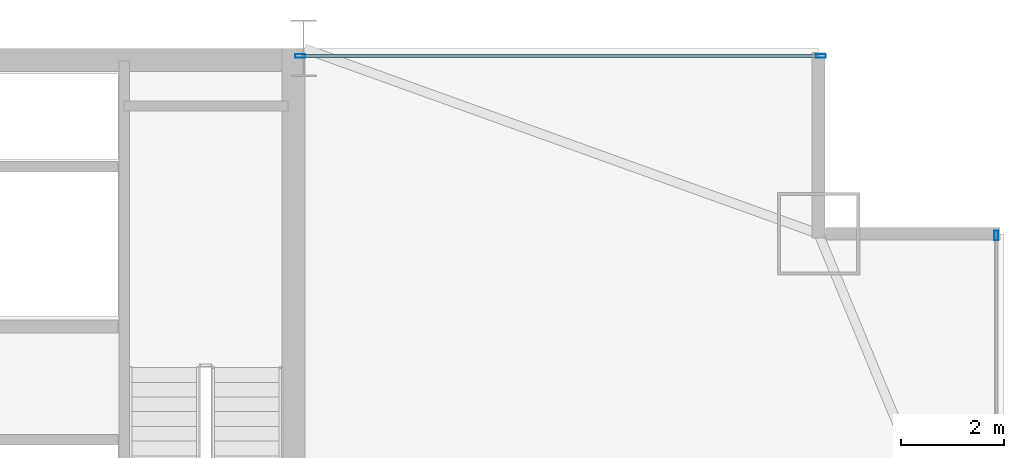
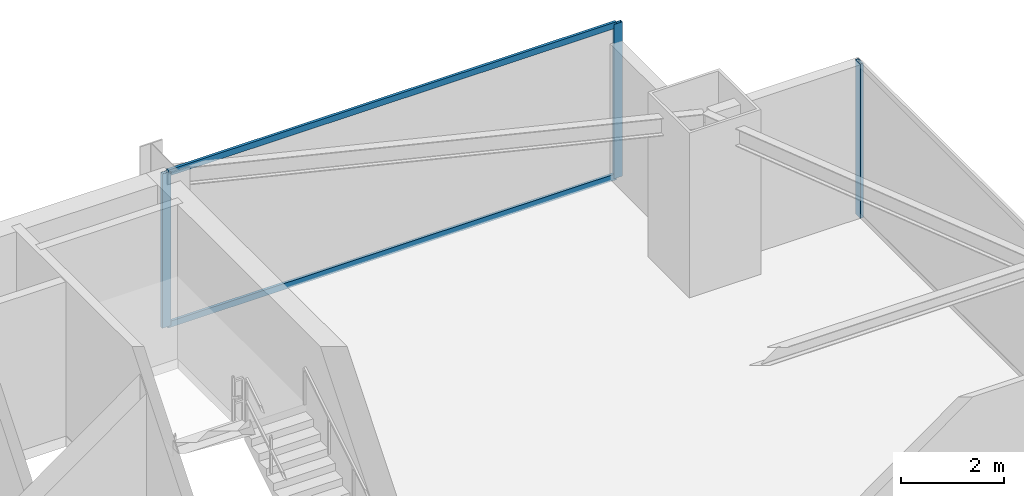
# One storey, part 24 of 32: 5 members, 2 elements without a shape of their own.
"""IFC4 building model written with IfcOpenShell, lengths in metres."""

from ifc_helpers import new_model, si_unit, direction, frame, origin, origin_2d, place, context, subcontext, project, spatial, hollow_rectangle, extrude, source, transform, mapped, material, layer, layer_set, material_profile, profile_set, type_object, type_shapes, element, aggregate, save


model = new_model("IFC4")

# Units and contexts
model_context = context("Model", 3, precision=1e-05, world=origin(), true_north=direction((0.0, 1.0)))
body_context = subcontext(model_context, "Body", "Model", "MODEL_VIEW")
ifc_project = project(units=[si_unit("LENGTHUNIT", "METRE"), si_unit("AREAUNIT", "SQUARE_METRE"), si_unit("VOLUMEUNIT", "CUBIC_METRE"), si_unit("PLANEANGLEUNIT", "RADIAN"), si_unit("MASSUNIT", "GRAM", prefix="KILO")], contexts=[model_context])

# Site, building, storey
site_placement = place(None, origin())
site = spatial("IfcSite", under=ifc_project, at=site_placement, CompositionType="ELEMENT")
building_placement = place(site_placement, origin())
building = spatial("IfcBuilding", under=site, at=building_placement, Name="Varnel Quay Broadcast Tower", CompositionType="ELEMENT")
storey_placement = place(building_placement, frame((0.0, 0.0, 54.89990234375)))
storey = spatial("IfcBuildingStorey", under=building, at=storey_placement, Name="L12", CompositionType="ELEMENT", Elevation=54.89990234375)

# Curtain wall, members
ifc_material = material(Name="Anodised Bronze Aluminium 6063-T6", Category="aluminium")
ifc_layer = layer(ifc_material, 0.18994140625, Name="Anodised Bronze Aluminium 6063-T6")
ifc_layer_set = layer_set([ifc_layer], Name="Anodised Bronze Aluminium 6063-T6")
curtain_wall_type = type_object("IfcCurtainWallType", Name="CW_LowerTower", PredefinedType="NOTDEFINED", material=ifc_layer_set)
curtain_wall_1_placement = place(storey_placement, origin())
curtain_wall_1 = element("IfcCurtainWall", 1, at=curtain_wall_1_placement, inside=storey, type_object=curtain_wall_type, Name="L12 NE Wing Curtain Wall", PredefinedType="NOTDEFINED")
ifc_material_profile_1 = material_profile(ifc_material, hollow_rectangle(XDim=0.06005859375, YDim=0.14501953125, WallThickness=0.00341796875, at=origin_2d()), Name="ALU60X145X3.5")
ifc_profile_set_1 = profile_set([ifc_material_profile_1], Name="Anodised Bronze Aluminium 6063-T6")
member_type_1 = type_object("IfcMemberType", Name="Tran_CWS-02", PredefinedType="USERDEFINED", material=ifc_profile_set_1)
shared_shape_1 = source(origin(), body_context, "Body", "SweptSolid", [
    extrude(hollow_rectangle(XDim=0.06005859375, YDim=0.14501953125, WallThickness=0.00341796875, at=origin_2d()), origin(), (0.0, 0.0, 1.0), 10.039794921875),
])
type_shapes(member_type_1, [shared_shape_1])
member_1_placement = place(storey_placement, frame((52.3701171875, 46.64990234375, 0.030029296875), z_axis=(1.0, 0.0, 0.0), x_axis=(0.0, 1.0, 0.0)))
member_1 = element("IfcMember", 2, at=member_1_placement, type_object=member_type_1, Name="CWS-02 transom 1.1", ObjectType="TRANSOM", PredefinedType="USERDEFINED", context=body_context, shape_type="MappedRepresentation", body=[
    mapped(shared_shape_1, transform((0.0, 0.0, 0.0), x_axis=(1.0, 0.0, 0.0), y_axis=(0.0, 1.0, 0.0), z_axis=(0.0, 0.0, 1.0), scale=1.0)),
])
member_2_placement = place(storey_placement, frame((52.3701171875, 46.64990234375, 3.6201171875), z_axis=(1.0, 0.0, 0.0), x_axis=(0.0, 1.0, 0.0)))
member_2 = element("IfcMember", 3, at=member_2_placement, type_object=member_type_1, Name="CWS-02 transom 1.2", ObjectType="TRANSOM", PredefinedType="USERDEFINED", context=body_context, shape_type="MappedRepresentation", body=[
    mapped(shared_shape_1, transform((0.0, 0.0, 0.0), x_axis=(1.0, 0.0, 0.0), y_axis=(0.0, 1.0, 0.0), z_axis=(0.0, 0.0, 1.0), scale=1.0)),
])

# Curtain wall, member
curtain_wall_2_placement = place(storey_placement, origin())
curtain_wall_2 = element("IfcCurtainWall", 4, at=curtain_wall_2_placement, inside=storey, type_object=curtain_wall_type, Name="L12 East Unitised Curtain Wall", PredefinedType="NOTDEFINED")
ifc_material_profile_2 = material_profile(ifc_material, hollow_rectangle(XDim=0.070068359375, YDim=0.18994140625, WallThickness=0.00390625, at=origin_2d()), Name="ALU70X190X4")
ifc_profile_set_2 = profile_set([ifc_material_profile_2], Name="Anodised Bronze Aluminium 6063-T6")
member_type_2 = type_object("IfcMemberType", Name="Mull_CWS-02", PredefinedType="MULLION", material=ifc_profile_set_2)
shared_shape_2 = source(origin(), body_context, "Body", "SweptSolid", [
    extrude(hollow_rectangle(XDim=0.070068359375, YDim=0.18994140625, WallThickness=0.00390625, at=origin_2d()), origin(), (0.0, 0.0, 1.0), 3.650146484375),
])
type_shapes(member_type_2, [shared_shape_2])
member_3_placement = place(storey_placement, frame((65.85009765625, 43.1650390625, 0.0), z_axis=(0.0, 0.0, 1.0), x_axis=(-1.0, 0.0, 0.0)))
member_3 = element("IfcMember", 5, at=member_3_placement, type_object=member_type_2, Name="CWS-02 mullion 4", PredefinedType="MULLION", context=body_context, shape_type="MappedRepresentation", body=[
    mapped(shared_shape_2, transform((0.0, 0.0, 0.0), x_axis=(1.0, 0.0, 0.0), y_axis=(0.0, 1.0, 0.0), z_axis=(0.0, 0.0, 1.0), scale=1.0)),
])
aggregate(curtain_wall_2, [member_3])

# Member
member_4_placement = place(storey_placement, frame((52.3349609375, 46.64990234375, 0.0), z_axis=(0.0, 0.0, 1.0), x_axis=(0.0, 1.0, 0.0)))
member_4 = element("IfcMember", 6, at=member_4_placement, type_object=member_type_2, Name="CWS-02 mullion 1", PredefinedType="MULLION", context=body_context, shape_type="MappedRepresentation", body=[
    mapped(shared_shape_2, transform((0.0, 0.0, 0.0), x_axis=(1.0, 0.0, 0.0), y_axis=(0.0, 1.0, 0.0), z_axis=(0.0, 0.0, 1.0), scale=1.0)),
])

member_5_placement = place(storey_placement, frame((62.445068359375, 46.64990234375, 0.0), z_axis=(0.0, 0.0, 1.0), x_axis=(0.0, 1.0, 0.0)))
member_5 = element("IfcMember", 7, at=member_5_placement, type_object=member_type_2, Name="CWS-02 mullion 2", PredefinedType="MULLION", context=body_context, shape_type="MappedRepresentation", body=[
    mapped(shared_shape_2, transform((0.0, 0.0, 0.0), x_axis=(1.0, 0.0, 0.0), y_axis=(0.0, 1.0, 0.0), z_axis=(0.0, 0.0, 1.0), scale=1.0)),
])

aggregate(curtain_wall_1, [member_4, member_5, member_1, member_2])

save(model, "model.ifc")
